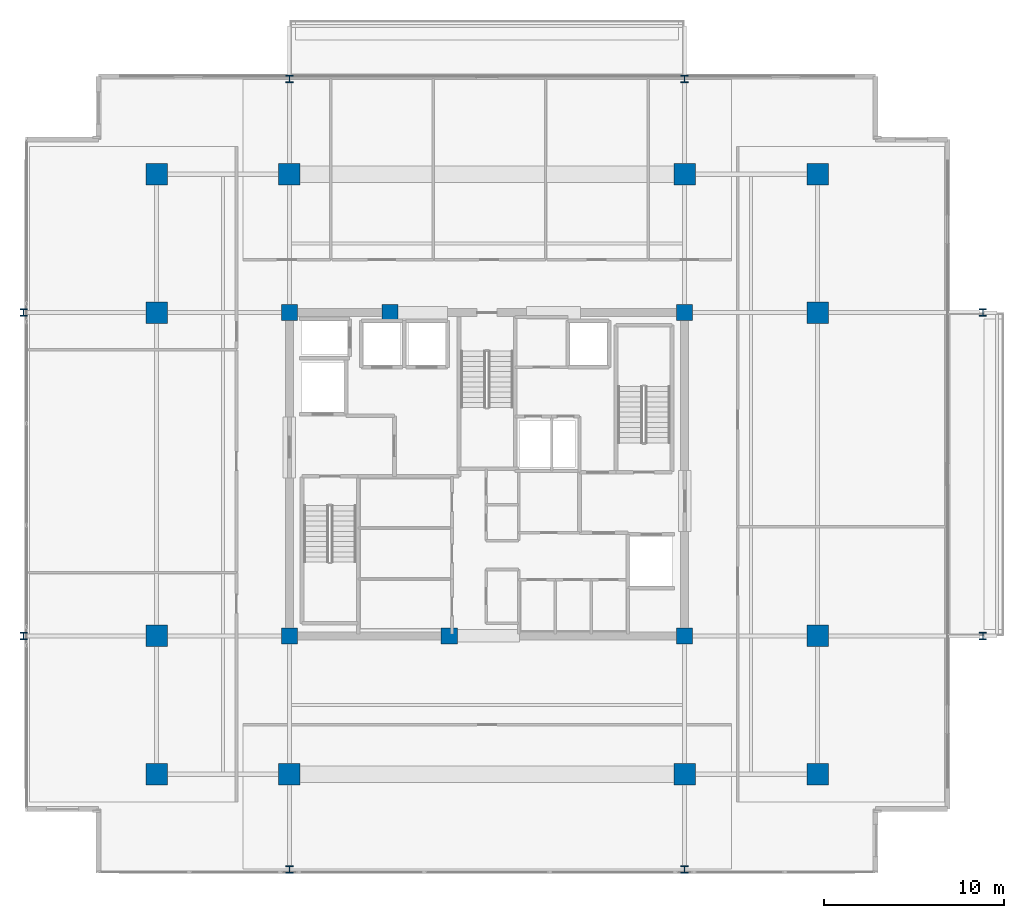
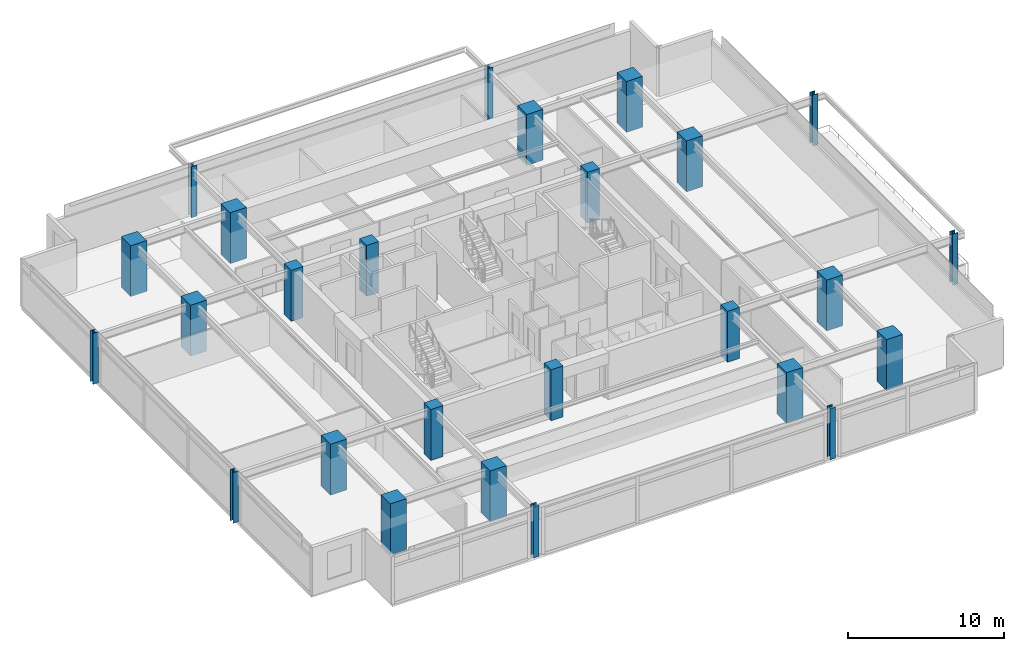
# One storey, part 1 of 21: 26 columns.
"""IFC4 building model written with IfcOpenShell, lengths in metres."""

from ifc_helpers import new_model, si_unit, direction, frame, origin, origin_2d, place, context, subcontext, project, spatial, rectangle, i_section, extrude, material, material_profile, profile_set, type_object, element, save


model = new_model("IFC4")

# Units and contexts
model_context = context("Model", 3, precision=1e-05, world=origin(), true_north=direction((0.0, 1.0)))
body_context = subcontext(model_context, "Body", "Model", "MODEL_VIEW")
ifc_project = project(units=[si_unit("LENGTHUNIT", "METRE"), si_unit("AREAUNIT", "SQUARE_METRE"), si_unit("VOLUMEUNIT", "CUBIC_METRE"), si_unit("PLANEANGLEUNIT", "RADIAN"), si_unit("MASSUNIT", "GRAM", prefix="KILO")], contexts=[model_context])

# Site, building, storey
site_placement = place(None, origin())
site = spatial("IfcSite", under=ifc_project, at=site_placement, CompositionType="ELEMENT")
building_placement = place(site_placement, origin())
building = spatial("IfcBuilding", under=site, at=building_placement, Name="Kovane Verandah Tower", CompositionType="ELEMENT")
storey_placement = place(building_placement, frame((0.0, 0.0, 283.199951171875)))
storey = spatial("IfcBuildingStorey", under=building, at=storey_placement, Name="L66", CompositionType="ELEMENT", Elevation=283.199951171875)

# Columns
ifc_material_1 = material(Name="Concrete C60/75", Category="concrete")
ifc_material_profile_1 = material_profile(ifc_material_1, rectangle(XDim=1.199951171875, YDim=1.199951171875, at=origin_2d()), Name="RC1200x1200")
ifc_profile_set_1 = profile_set([ifc_material_profile_1], Name="Concrete C60/75")
column_type_1 = type_object("IfcColumnType", Name="COL-RC1200", PredefinedType="COLUMN", material=ifc_profile_set_1)
for number, where, z_axis, x_axis, name in (
    (1, (29.0, 10.800048828125, 0.0), (0.0, 0.0, 1.0), (1.0, 0.0, 0.0), "L66 Tower Mega-Column MC-S1"),
    (2, (51.0, 10.800048828125, 0.0), (0.0, 0.0, 1.0), (1.0, 0.0, 0.0), "L66 Tower Mega-Column MC-S2"),
    (3, (29.0, 44.199951171875, 0.0), (0.0, 0.0, 1.0), (1.0, 0.0, 0.0), "L66 Tower Mega-Column MC-N1"),
    (4, (51.0, 44.199951171875, 0.0), (0.0, 0.0, 1.0), (1.0, 0.0, 0.0), "L66 Tower Mega-Column MC-N2"),
    (5, (21.60009765625, 18.5, 0.0), (0.0, 0.0, 1.0), (1.0, 0.0, 0.0), "L66 Tower Mega-Column MC-W1"),
    (6, (21.60009765625, 36.5, 0.0), (0.0, 0.0, 1.0), (1.0, 0.0, 0.0), "L66 Tower Mega-Column MC-W2"),
    (7, (58.39990234375, 18.5, 0.0), (0.0, 0.0, 1.0), (1.0, 0.0, 0.0), "L66 Tower Mega-Column MC-E1"),
    (8, (58.39990234375, 36.5, 0.0), (0.0, 0.0, 1.0), (1.0, 0.0, 0.0), "L66 Tower Mega-Column MC-E2"),
    (9, (21.60009765625, 10.800048828125, 0.0), (0.0, 0.0, 1.0), (1.0, 0.0, 0.0), "L66 Tower Mega-Column MC-SW"),
    (10, (58.39990234375, 10.800048828125, 0.0), (0.0, 0.0, 1.0), (1.0, 0.0, 0.0), "L66 Tower Mega-Column MC-SE"),
    (11, (21.60009765625, 44.199951171875, 0.0), (0.0, 0.0, 1.0), (1.0, 0.0, 0.0), "L66 Tower Mega-Column MC-NW"),
    (12, (58.39990234375, 44.199951171875, 0.0), (0.0, 0.0, 1.0), (1.0, 0.0, 0.0), "L66 Tower Mega-Column MC-NE"),
):
    element("IfcColumn", number, at=place(storey_placement, frame(where, z_axis=z_axis, x_axis=x_axis)), inside=storey, type_object=column_type_1, Name=name, PredefinedType="COLUMN", context=body_context, shape_type="SweptSolid", body=[
        extrude(rectangle(XDim=1.199951171875, YDim=1.199951171875, at=origin_2d()), origin(), (0.0, 0.0, 1.0), 4.0),
    ])
ifc_material_2 = material(Name="Steel S460", Category="steel")
ifc_material_profile_2 = material_profile(ifc_material_2, i_section(OverallWidth=0.403076171875, OverallDepth=0.406494140625, WebThickness=0.026611328125, FlangeThickness=0.04296875, FilletRadius=0.01513671875, at=origin_2d()), Name="UC356x406x340")
ifc_profile_set_2 = profile_set([ifc_material_profile_2], Name="Steel S460")
column_type_2 = type_object("IfcColumnType", Name="COL-UC340", PredefinedType="COLUMN", material=ifc_profile_set_2)
for number, where, z_axis, x_axis, name in (
    (13, (14.199951171875, 18.5, 0.0), (0.0, 0.0, 1.0), (1.0, 0.0, 0.0), "L66 Verandah Perimeter Column VC-W1"),
    (14, (14.199951171875, 36.5, 0.0), (0.0, 0.0, 1.0), (1.0, 0.0, 0.0), "L66 Verandah Perimeter Column VC-W2"),
    (15, (67.60009765625, 18.5, 0.0), (0.0, 0.0, 1.0), (1.0, 0.0, 0.0), "L66 Verandah Perimeter Column VC-E1"),
    (16, (67.60009765625, 36.5, 0.0), (0.0, 0.0, 1.0), (1.0, 0.0, 0.0), "L66 Verandah Perimeter Column VC-E2"),
    (17, (29.0, 5.5, 0.0), (0.0, 0.0, 1.0), (1.0, 0.0, 0.0), "L66 Verandah Perimeter Column VC-S1"),
    (18, (51.0, 5.5, 0.0), (0.0, 0.0, 1.0), (1.0, 0.0, 0.0), "L66 Verandah Perimeter Column VC-S2"),
    (19, (29.0, 49.5, 0.0), (0.0, 0.0, 1.0), (1.0, 0.0, 0.0), "L66 Verandah Perimeter Column VC-N1"),
    (20, (51.0, 49.5, 0.0), (0.0, 0.0, 1.0), (1.0, 0.0, 0.0), "L66 Verandah Perimeter Column VC-N2"),
):
    element("IfcColumn", number, at=place(storey_placement, frame(where, z_axis=z_axis, x_axis=x_axis)), inside=storey, type_object=column_type_2, Name=name, PredefinedType="COLUMN", context=body_context, shape_type="SweptSolid", body=[
        extrude(i_section(OverallWidth=0.403076171875, OverallDepth=0.406494140625, WebThickness=0.026611328125, FlangeThickness=0.04296875, FilletRadius=0.01513671875, at=origin_2d()), origin(), (0.0, 0.0, 1.0), 4.0),
    ])
ifc_material_profile_3 = material_profile(ifc_material_1, rectangle(XDim=0.89990234375, YDim=0.89990234375, at=origin_2d()), Name="RC900x900")
ifc_profile_set_3 = profile_set([ifc_material_profile_3], Name="Concrete C60/75")
column_type_3 = type_object("IfcColumnType", Name="PIL-RC900", PredefinedType="PILASTER", material=ifc_profile_set_3)
for number, where, z_axis, x_axis, name in (
    (21, (29.0, 18.5, 0.0), (0.0, 0.0, 1.0), (1.0, 0.0, 0.0), "L66 Core Pilaster CP-SW"),
    (22, (51.0, 18.5, 0.0), (0.0, 0.0, 1.0), (1.0, 0.0, 0.0), "L66 Core Pilaster CP-SE"),
    (23, (29.0, 36.5, 0.0), (0.0, 0.0, 1.0), (1.0, 0.0, 0.0), "L66 Core Pilaster CP-NW"),
    (24, (51.0, 36.5, 0.0), (0.0, 0.0, 1.0), (1.0, 0.0, 0.0), "L66 Core Pilaster CP-NE"),
    (25, (37.89990234375, 18.5, 0.0), (0.0, 0.0, 1.0), (1.0, 0.0, 0.0), "L66 Core Pilaster CP-S"),
    (26, (34.60009765625, 36.5, 0.0), (0.0, 0.0, 1.0), (1.0, 0.0, 0.0), "L66 Core Pilaster CP-N"),
):
    element("IfcColumn", number, at=place(storey_placement, frame(where, z_axis=z_axis, x_axis=x_axis)), inside=storey, type_object=column_type_3, Name=name, PredefinedType="PILASTER", context=body_context, shape_type="SweptSolid", body=[
        extrude(rectangle(XDim=0.89990234375, YDim=0.89990234375, at=origin_2d()), origin(), (0.0, 0.0, 1.0), 4.0),
    ])

save(model, "model.ifc")
